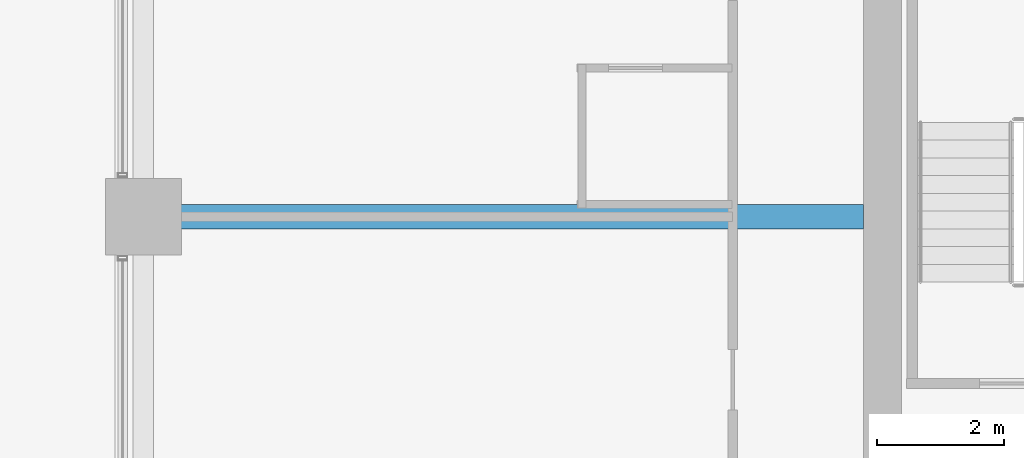
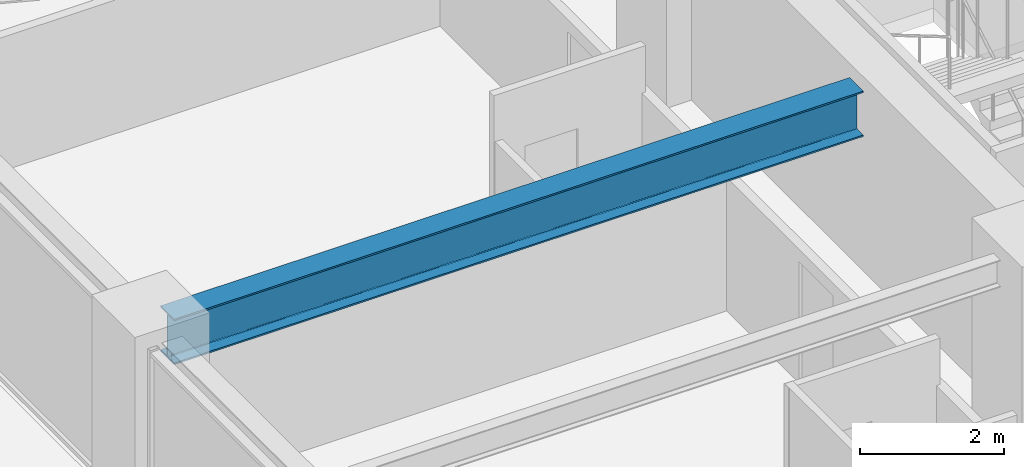
# One storey, part 17 of 36: 1 beam.
"""IFC4 building model written with IfcOpenShell, lengths in metres."""

import ifcopenshell
import ifcopenshell.guid

model = None  # the IFC model being written
_history = None  # IfcOwnerHistory: only IFC2X3 demands one
_inside = {}  # id of a spatial element -> (the spatial element, [elements in it])
_under = {}  # id of a project, library or spatial element -> (it, [spatial elements below it])
_declared = {}  # id of a project -> (the project, [libraries it declares])
_typed = {}  # id of a type object -> (the type object, [elements of that type])
_made_of = {}  # id of a material, layer set ... -> (it, [elements and type objects made of it])


def new_model(schema):
    """Start an empty IFC model of exactly this schema.

    Asked for "IFC4X3", IfcOpenShell would pick the latest addendum, in which some entities
    have other attributes; the version numbers below select the first issue.
    IFC2X3 requires an IfcOwnerHistory on every rooted entity: one is made here for all.
    """
    global model, _history
    if schema == "IFC4X3":
        model = ifcopenshell.file(schema_version=(4, 3, 0, 0))
    else:
        model = ifcopenshell.file(schema=schema)
    _inside.clear()
    _under.clear()
    _declared.clear()
    _typed.clear()
    _made_of.clear()
    _history = None
    if model.schema == "IFC2X3":
        org = make("IfcOrganization", Name="unknown")
        user = make(
            "IfcPersonAndOrganization",
            ThePerson=make("IfcPerson", FamilyName="unknown"),
            TheOrganization=org,
        )
        app = make(
            "IfcApplication",
            ApplicationDeveloper=org,
            Version="unknown",
            ApplicationFullName="unknown",
            ApplicationIdentifier="unknown",
        )
        _history = make(
            "IfcOwnerHistory",
            OwningUser=user,
            OwningApplication=app,
            ChangeAction="ADDED",
            CreationDate=0,
        )
    return model


def make(cls, **values):
    """One entity of the class cls with the attributes given. An attribute that is None is left unset."""
    return model.create_entity(
        cls, **{name: value for name, value in values.items() if value is not None}
    )


def rooted(cls, **values):
    """An entity with a GlobalId (a new one), such as an element, a storey or a relation."""
    return make(cls, GlobalId=ifcopenshell.guid.new(), OwnerHistory=_history, **values)


def si_unit(unit_type, name, prefix=None):
    """IfcSIUnit, for example si_unit("LENGTHUNIT", "METRE", prefix="MILLI")."""
    return make("IfcSIUnit", UnitType=unit_type, Prefix=prefix, Name=name)


def assignment(units):
    """IfcUnitAssignment: the units of a project."""
    return None if units is None else make("IfcUnitAssignment", Units=units)


def point(xyz):
    """IfcCartesianPoint."""
    return None if xyz is None else make("IfcCartesianPoint", Coordinates=xyz)


def direction(xyz):
    """IfcDirection."""
    return None if xyz is None else make("IfcDirection", DirectionRatios=xyz)


def frame(location, z_axis=None, x_axis=None):
    """IfcAxis2Placement3D, a coordinate frame: its origin and axes. An axis left out is left unset."""
    return make(
        "IfcAxis2Placement3D",
        Location=point(location),
        Axis=direction(z_axis),
        RefDirection=direction(x_axis),
    )


def frame_2d(location, x_axis=None):
    """IfcAxis2Placement2D, a coordinate frame in the plane: its origin and x axis."""
    return make(
        "IfcAxis2Placement2D", Location=point(location), RefDirection=direction(x_axis)
    )


def origin():
    """The frame at (0, 0, 0) with its axes left unset."""
    return frame((0.0, 0.0, 0.0))


def origin_2d():
    """The frame at (0, 0) in the plane with its x axis left unset."""
    return frame_2d((0.0, 0.0))


def place(relative_to, where):
    """IfcLocalPlacement: puts the frame where relative to a parent placement (None: the world)."""
    return make(
        "IfcLocalPlacement", PlacementRelTo=relative_to, RelativePlacement=where
    )


def context(
    kind, dimensions, precision=None, world=None, true_north=None, identifier=None
):
    """IfcGeometricRepresentationContext, for example the 3D "Model" context."""
    return make(
        "IfcGeometricRepresentationContext",
        ContextIdentifier=identifier,
        ContextType=kind,
        CoordinateSpaceDimension=dimensions,
        Precision=precision,
        WorldCoordinateSystem=world,
        TrueNorth=true_north,
    )


def subcontext(parent, identifier, kind, view, scale=None):
    """IfcGeometricRepresentationSubContext, for example "Body" below "Model"."""
    return make(
        "IfcGeometricRepresentationSubContext",
        ContextIdentifier=identifier,
        ContextType=kind,
        ParentContext=parent,
        TargetScale=scale,
        TargetView=view,
    )


def project(units=None, contexts=None):
    """IfcProject with its units and contexts."""
    return rooted(
        "IfcProject",
        Name="project",
        RepresentationContexts=contexts,
        UnitsInContext=assignment(units),
    )


def spatial(cls, under=None, at=None, **own):
    """A site, building, storey or space (cls), placed at a placement, below another one or the project."""
    s = rooted(cls, ObjectPlacement=at, **own)
    if under is not None:
        _under.setdefault(under.id(), (under, []))[1].append(s)
    return s


def profile(cls, at=None, kind="AREA", **sizes):
    """A parametric profile (cls). Its sizes go by their IFC names, for example OverallWidth=200.0."""
    return make(cls, ProfileType=kind, Position=at, **sizes)


def i_section(**sizes):
    """IfcIShapeProfileDef."""
    return profile("IfcIShapeProfileDef", **sizes)


def extrude(swept, where, along, depth):
    """IfcExtrudedAreaSolid: the profile swept, set in the frame where, extruded along a direction by depth."""
    return make(
        "IfcExtrudedAreaSolid",
        SweptArea=swept,
        Position=where,
        ExtrudedDirection=direction(along),
        Depth=depth,
    )


def shape(context_of_items, identifier, shape_type, items):
    """IfcShapeRepresentation: the items that make up one representation, for example the "Body"."""
    return make(
        "IfcShapeRepresentation",
        ContextOfItems=context_of_items,
        RepresentationIdentifier=identifier,
        RepresentationType=shape_type,
        Items=items,
    )


def material(Name=None, Category=None):
    """IfcMaterial."""
    return make("IfcMaterial", Name=Name, Category=Category)


def material_profile(
    of_material, cross_section, Name=None, Category=None, Priority=None
):
    """IfcMaterialProfile: a cross section and its material."""
    return make(
        "IfcMaterialProfile",
        Name=Name,
        Material=of_material,
        Profile=cross_section,
        Priority=Priority,
        Category=Category,
    )


def profile_set(profiles, Name=None, composite=None):
    """IfcMaterialProfileSet."""
    return make(
        "IfcMaterialProfileSet",
        Name=Name,
        MaterialProfiles=profiles,
        CompositeProfile=composite,
    )


def made_of(thing, what):
    """Note that an element or type object is made of a material, layer set ...; save() writes the relation."""
    if what is not None:
        _made_of.setdefault(what.id(), (what, []))[1].append(thing)
    return thing


def type_object(cls, material=None, **own):
    """A type object (cls), such as IfcWallType, which elements share."""
    return made_of(rooted(cls, **own), material)


def element(
    cls,
    number,
    at=None,
    inside=None,
    cuts=None,
    type_object=None,
    material=None,
    context=None,
    identifier="Body",
    shape_type=None,
    held_by="IfcProductDefinitionShape",
    body=None,
    shapes=None,
    **own,
):
    """One element of the class cls, such as IfcWall. Its Tag is "e" and its number.

    at: its placement. inside: the storey or other place that contains it. cuts: it is an
    opening in that element (IfcRelVoidsElement). A single representation is given by context,
    identifier, shape_type and body (its items); several are given by shapes. held_by: the class
    of the entity that holds the representations. save() writes the other relations.
    """
    e = rooted(cls, Tag="e%d" % number, ObjectPlacement=at, **own)
    if body is not None:
        shapes = [shape(context, identifier, shape_type, body)]
    if shapes is not None:
        e.Representation = make(held_by, Representations=shapes)
    if inside is not None:
        _inside.setdefault(inside.id(), (inside, []))[1].append(e)
    if cuts is not None:
        rooted(
            "IfcRelVoidsElement", RelatingBuildingElement=cuts, RelatedOpeningElement=e
        )
    if type_object is not None:
        _typed.setdefault(type_object.id(), (type_object, []))[1].append(e)
    return made_of(e, material)


def aggregate(whole, parts):
    """IfcRelAggregates: a whole, such as a stair, and the parts it consists of."""
    return rooted("IfcRelAggregates", RelatingObject=whole, RelatedObjects=parts)


def save(model, path):
    """Write the relations noted so far, then the file.

    IfcRelAggregates (storeys below a building ...), IfcRelContainedInSpatialStructure (elements
    in a storey), IfcRelDefinesByType, IfcRelAssociatesMaterial and IfcRelDeclares: one each for
    every whole, place, type object, material and project.
    """
    for whole, parts in _under.values():
        aggregate(whole, parts)
    for where, things in _inside.values():
        rooted(
            "IfcRelContainedInSpatialStructure",
            RelatedElements=things,
            RelatingStructure=where,
        )
    for kind, things in _typed.values():
        rooted("IfcRelDefinesByType", RelatedObjects=things, RelatingType=kind)
    for what, things in _made_of.values():
        rooted("IfcRelAssociatesMaterial", RelatedObjects=things, RelatingMaterial=what)
    for by, libraries in _declared.values():
        rooted("IfcRelDeclares", RelatingContext=by, RelatedDefinitions=libraries)
    model.write(path)


model = new_model("IFC4")

# Units and contexts
model_context = context("Model", 3, precision=1e-05, world=origin(), true_north=direction((0.0, 1.0)))
body_context = subcontext(model_context, "Body", "Model", "MODEL_VIEW")
ifc_project = project(units=[si_unit("LENGTHUNIT", "METRE"), si_unit("AREAUNIT", "SQUARE_METRE"), si_unit("VOLUMEUNIT", "CUBIC_METRE"), si_unit("PLANEANGLEUNIT", "RADIAN"), si_unit("MASSUNIT", "GRAM", prefix="KILO")], contexts=[model_context])

# Site, building, storey
site_placement = place(None, origin())
site = spatial("IfcSite", under=ifc_project, at=site_placement, CompositionType="ELEMENT")
building_placement = place(site_placement, origin())
building = spatial("IfcBuilding", under=site, at=building_placement, Name="Kolvaren Belvedere", CompositionType="ELEMENT")
storey_placement = place(building_placement, frame((0.0, 0.0, 23.800048828125)))
storey = spatial("IfcBuildingStorey", under=building, at=storey_placement, Name="L06", CompositionType="ELEMENT", Elevation=23.800048828125)

# Beam
ifc_material = material(Name="Structural steel ASTM A992 Grade 50", Category="steel")
ifc_material_profile = material_profile(ifc_material, i_section(OverallWidth=0.381103515625, OverallDepth=0.77294921875, WebThickness=0.0166015625, FlangeThickness=0.027099609375, FilletRadius=0.02392578125, at=origin_2d()), Name="W30X173")
ifc_profile_set = profile_set([ifc_material_profile], Name="Structural steel ASTM A992 Grade 50")
beam_type = type_object("IfcBeamType", Name="BM-GIRD-W30X173", PredefinedType="BEAM", material=ifc_profile_set)
beam_placement = place(storey_placement, frame((-10.199951171875, 4.60009765625, 2.67333984375), z_axis=(-1.0, 0.0, 0.0), x_axis=(0.0, -1.0, 0.0)))
element("IfcBeam", 1, at=beam_placement, inside=storey, type_object=beam_type, Name="L06 West Radial Girder P", PredefinedType="BEAM", context=body_context, shape_type="SweptSolid", body=[
    extrude(i_section(OverallWidth=0.381103515625, OverallDepth=0.77294921875, WebThickness=0.0166015625, FlangeThickness=0.027099609375, FilletRadius=0.02392578125, at=origin_2d()), origin(), (0.0, 0.0, 1.0), 11.080078125),
])

save(model, "model.ifc")
